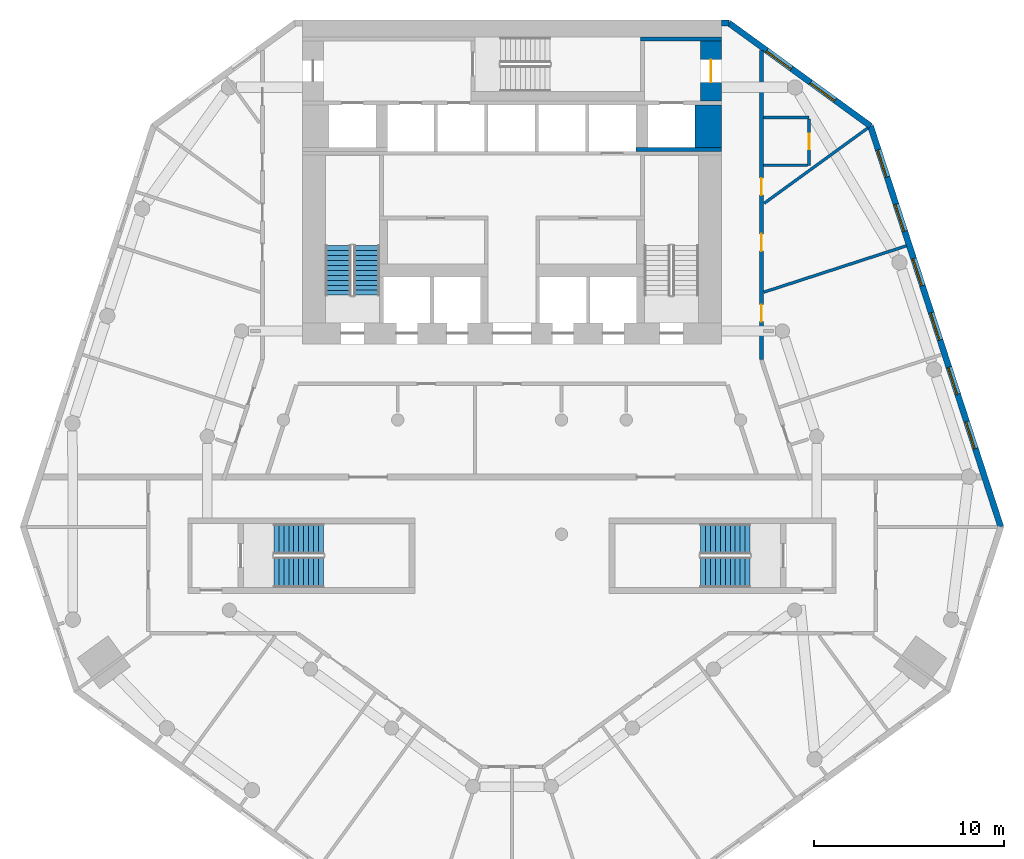
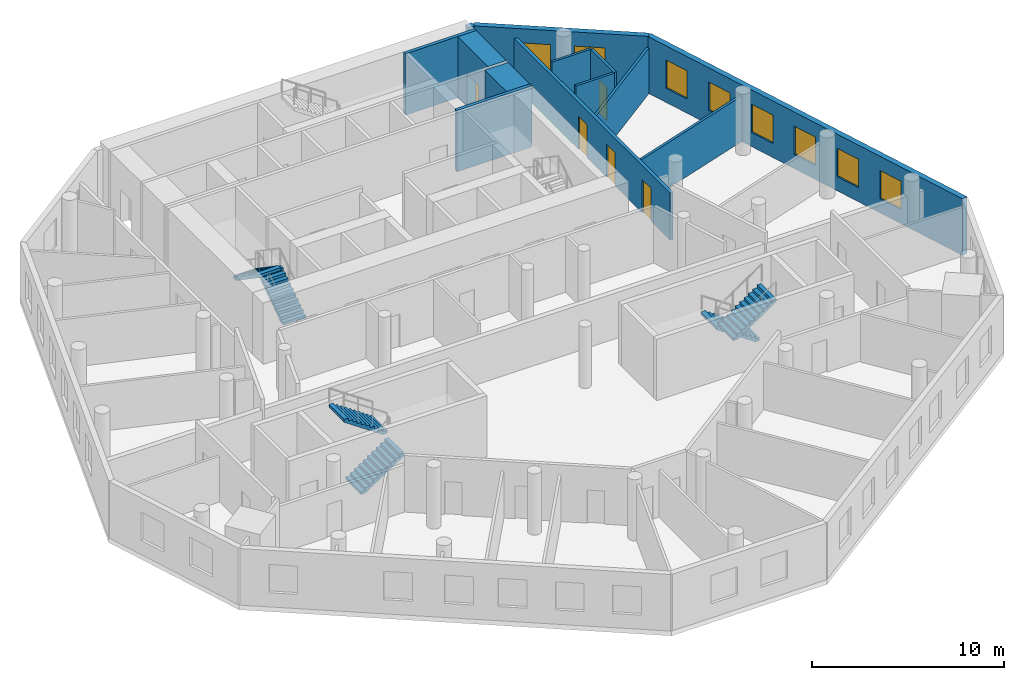
# One storey, part 6 of 9: 13 walls, 8 windows, 6 stair flights, 5 doors, 13 openings, 3 elements without a shape of their own.
"""IFC4 building model written with IfcOpenShell, lengths in metres."""

from ifc_helpers import new_model, si_unit, direction, frame, frame_2d, origin, place, context, subcontext, project, spatial, polyline, rectangle, outline, extrude, material, layer, layer_set, type_object, element, fill, aggregate, save


model = new_model("IFC4")

# Units and contexts
model_context = context("Model", 3, precision=1e-05, world=origin(), true_north=direction((0.0, 1.0)))
body_context = subcontext(model_context, "Body", "Model", "MODEL_VIEW")
ifc_project = project(units=[si_unit("LENGTHUNIT", "METRE"), si_unit("AREAUNIT", "SQUARE_METRE"), si_unit("VOLUMEUNIT", "CUBIC_METRE"), si_unit("PLANEANGLEUNIT", "RADIAN"), si_unit("MASSUNIT", "GRAM", prefix="KILO")], contexts=[model_context])

# Site, building, storey
site_placement = place(None, origin())
site = spatial("IfcSite", under=ifc_project, at=site_placement, CompositionType="ELEMENT")
building_placement = place(site_placement, origin())
building = spatial("IfcBuilding", under=site, at=building_placement, Name="White Candle Pilgrim Tower", CompositionType="ELEMENT")
storey_placement = place(building_placement, frame((0.0, 0.0, 106.39990234375)))
storey = spatial("IfcBuildingStorey", under=building, at=storey_placement, Name="L23", CompositionType="ELEMENT", Elevation=106.39990234375)

# Wall, opening, door
ifc_material_1 = material(Name="Concrete C60/75", Category="concrete")
ifc_layer_1 = layer(ifc_material_1, 1.10009765625)
ifc_layer_set_1 = layer_set([ifc_layer_1], Name="Core wall 1100 mm Concrete C60/75")
wall_type_1 = type_object("IfcWallType", Name="Core wall 1100 mm Concrete C60/75", PredefinedType="SHEAR", material=ifc_layer_set_1)
wall_1_placement = place(storey_placement, frame((80.449951171875, 83.75, 0.0), z_axis=(0.0, 0.0, 1.0), x_axis=(0.0, 1.0, 0.0)))
wall_1 = element("IfcWall", 1, at=wall_1_placement, inside=storey, type_object=wall_type_1, Name="WL-L23-C44", PredefinedType="SHEAR", context=body_context, shape_type="SweptSolid", body=[
    extrude(rectangle(XDim=3.14990234375, YDim=1.10009765625, at=frame_2d((1.574951171875, 0.0))), origin(), (0.0, 0.0, 1.0), 3.900146484375),
])
opening_1_placement = place(wall_1_placement, frame((0.97509765625, 0.0, 0.0)))
opening_1 = element("IfcOpeningElement", 2, at=opening_1_placement, cuts=wall_1, Name="Opening T07-006", PredefinedType="OPENING", context=body_context, shape_type="SweptSolid", body=[
    extrude(rectangle(XDim=1.199951171875, YDim=2.10009765625, at=frame_2d((0.60009765625, 1.050048828125))), frame((0.0, 0.56005859375, 0.0), z_axis=(0.0, -1.0, 0.0), x_axis=(1.0, 0.0, 0.0)), (0.0, 0.0, 1.0), 1.1201171875),
])
ifc_material_2 = material(Name="Steel door leaf", Category="steel")
door_type_1 = type_object("IfcDoorType", Name="Fire door 1200 x 2100 EI 30", OperationType="NOTDEFINED", PredefinedType="DOOR", material=ifc_material_2)
door_1_placement = place(opening_1_placement, origin())
door_1 = element("IfcDoor", 3, at=door_1_placement, inside=storey, type_object=door_type_1, Name="Door T07-006", OperationType="SINGLE_SWING_RIGHT", OverallHeight=2.10009765625, OverallWidth=1.199951171875, PredefinedType="DOOR", context=body_context, shape_type="SweptSolid", body=[
    extrude(rectangle(XDim=1.199951171875, YDim=2.10009765625, at=frame_2d((0.60009765625, 1.050048828125))), frame((0.0, 0.02490234375, 0.0), z_axis=(0.0, -1.0, 0.0), x_axis=(1.0, 0.0, 0.0)), (0.0, 0.0, 1.0), 0.050048828125),
])
fill(opening_1, door_1)

# Walls
ifc_layer_2 = layer(ifc_material_1, 1.39990234375)
ifc_layer_set_2 = layer_set([ifc_layer_2], Name="Core wall 1400 mm Concrete C60/75")
wall_type_2 = type_object("IfcWallType", Name="Core wall 1400 mm Concrete C60/75", PredefinedType="SHEAR", material=ifc_layer_set_2)
wall_2_placement = place(storey_placement, frame((80.300048828125, 81.300048828125, 0.0), z_axis=(0.0, 0.0, 1.0), x_axis=(0.0, 1.0, 0.0)))
element("IfcWall", 4, at=wall_2_placement, inside=storey, type_object=wall_type_2, Name="WL-L23-C40", PredefinedType="SHEAR", context=body_context, shape_type="SweptSolid", body=[
    extrude(rectangle(XDim=2.25, YDim=1.39990234375, at=frame_2d((1.125, 0.0))), origin(), (0.0, 0.0, 1.0), 3.900146484375),
])
ifc_layer_3 = layer(ifc_material_1, 0.199951171875)
ifc_layer_set_3 = layer_set([ifc_layer_3], Name="Core wall 200 mm Concrete C60/75")
wall_type_3 = type_object("IfcWallType", Name="Core wall 200 mm Concrete C60/75", PredefinedType="SHEAR", material=ifc_layer_set_3)
wall_3_placement = place(storey_placement, frame((76.5, 81.199951171875, 0.0), z_axis=(0.0, 0.0, 1.0), x_axis=(1.0, 0.0, 0.0)))
element("IfcWall", 5, at=wall_3_placement, inside=storey, type_object=wall_type_3, Name="WL-L23-C36", PredefinedType="SHEAR", context=body_context, shape_type="SweptSolid", body=[
    extrude(rectangle(XDim=4.5, YDim=0.199951171875, at=frame_2d((2.25, 0.0))), origin(), (0.0, 0.0, 1.0), 3.900146484375),
])

# Wall, openings, doors
ifc_material_3 = material(Name="Gypsum board on steel studs", Category="steel")
ifc_layer_4 = layer(ifc_material_3, 0.199951171875)
ifc_layer_set_4 = layer_set([ifc_layer_4], Name="Corridor wall 200 mm EI 45")
wall_type_4 = type_object("IfcWallType", Name="Corridor wall 200 mm EI 45", PredefinedType="PARTITIONING", material=ifc_layer_set_4)
wall_4_placement = place(storey_placement, frame((83.10009765625, 86.396240234375, 0.0), z_axis=(0.0, 0.0, 1.0), x_axis=(0.0, -1.0, 0.0)))
wall_4 = element("IfcWall", 6, at=wall_4_placement, inside=storey, type_object=wall_type_4, Name="WL-L23-P004", PredefinedType="PARTITIONING", context=body_context, shape_type="SweptSolid", body=[
    extrude(rectangle(XDim=16.221923828125, YDim=0.199951171875, at=frame_2d((8.11083984375, 0.0))), origin(), (0.0, 0.0, 1.0), 3.0),
])
opening_2_placement = place(wall_4_placement, frame((6.697998046875, 0.0, 0.0)))
opening_2 = element("IfcOpeningElement", 7, at=opening_2_placement, cuts=wall_4, Name="Opening T07-123", PredefinedType="OPENING", context=body_context, shape_type="SweptSolid", body=[
    extrude(rectangle(XDim=0.89990234375, YDim=2.10009765625, at=frame_2d((0.449951171875, 1.050048828125))), frame((0.0, 0.10986328125, 0.0), z_axis=(0.0, -1.0, 0.0), x_axis=(1.0, 0.0, 0.0)), (0.0, 0.0, 1.0), 0.219970703125),
])
opening_3_placement = place(wall_4_placement, frame((9.626953125, 0.0, 0.0)))
opening_3 = element("IfcOpeningElement", 8, at=opening_3_placement, cuts=wall_4, Name="Opening T07-124", PredefinedType="OPENING", context=body_context, shape_type="SweptSolid", body=[
    extrude(rectangle(XDim=0.89990234375, YDim=2.10009765625, at=frame_2d((0.449951171875, 1.050048828125))), frame((0.0, 0.10986328125, 0.0), z_axis=(0.0, -1.0, 0.0), x_axis=(1.0, 0.0, 0.0)), (0.0, 0.0, 1.0), 0.219970703125),
])
opening_4_placement = place(wall_4_placement, frame((13.338623046875, 0.0, 0.0)))
opening_4 = element("IfcOpeningElement", 9, at=opening_4_placement, cuts=wall_4, Name="Opening T07-125", PredefinedType="OPENING", context=body_context, shape_type="SweptSolid", body=[
    extrude(rectangle(XDim=0.89990234375, YDim=2.10009765625, at=frame_2d((0.449951171875, 1.050048828125))), frame((0.0, 0.10986328125, 0.0), z_axis=(0.0, -1.0, 0.0), x_axis=(1.0, 0.0, 0.0)), (0.0, 0.0, 1.0), 0.219970703125),
])
door_type_2 = type_object("IfcDoorType", Name="Fire door 900 x 2100 EI 30", OperationType="NOTDEFINED", PredefinedType="DOOR", material=ifc_material_2)
door_2_placement = place(opening_2_placement, origin())
door_2 = element("IfcDoor", 10, at=door_2_placement, inside=storey, type_object=door_type_2, Name="Door T07-123", OperationType="SINGLE_SWING_LEFT", OverallHeight=2.10009765625, OverallWidth=0.89990234375, PredefinedType="DOOR", context=body_context, shape_type="SweptSolid", body=[
    extrude(rectangle(XDim=0.89990234375, YDim=2.10009765625, at=frame_2d((0.449951171875, 1.050048828125))), frame((0.0, 0.02490234375, 0.0), z_axis=(0.0, -1.0, 0.0), x_axis=(1.0, 0.0, 0.0)), (0.0, 0.0, 1.0), 0.050048828125),
])
fill(opening_2, door_2)
door_3_placement = place(opening_3_placement, origin())
door_3 = element("IfcDoor", 11, at=door_3_placement, inside=storey, type_object=door_type_2, Name="Door T07-124", OperationType="SINGLE_SWING_RIGHT", OverallHeight=2.10009765625, OverallWidth=0.89990234375, PredefinedType="DOOR", context=body_context, shape_type="SweptSolid", body=[
    extrude(rectangle(XDim=0.89990234375, YDim=2.10009765625, at=frame_2d((0.449951171875, 1.050048828125))), frame((0.0, 0.02490234375, 0.0), z_axis=(0.0, -1.0, 0.0), x_axis=(1.0, 0.0, 0.0)), (0.0, 0.0, 1.0), 0.050048828125),
])
fill(opening_3, door_3)
door_4_placement = place(opening_4_placement, origin())
door_4 = element("IfcDoor", 12, at=door_4_placement, inside=storey, type_object=door_type_2, Name="Door T07-125", OperationType="SINGLE_SWING_LEFT", OverallHeight=2.10009765625, OverallWidth=0.89990234375, PredefinedType="DOOR", context=body_context, shape_type="SweptSolid", body=[
    extrude(rectangle(XDim=0.89990234375, YDim=2.10009765625, at=frame_2d((0.449951171875, 1.050048828125))), frame((0.0, 0.02490234375, 0.0), z_axis=(0.0, -1.0, 0.0), x_axis=(1.0, 0.0, 0.0)), (0.0, 0.0, 1.0), 0.050048828125),
])
fill(opening_4, door_4)

# Wall, openings, windows
ifc_material_4 = material(Name="Precast concrete C40/50", Category="concrete")
ifc_layer_5 = layer(ifc_material_4, 0.320068359375)
ifc_layer_set_5 = layer_set([ifc_layer_5], Name="Facade wall EW1 precast concrete C40/50 pier wall with timber-lined reveals")
wall_type_5 = type_object("IfcWallType", Name="Facade wall EW1 precast concrete C40/50 pier wall with timber-lined reveals", PredefinedType="SOLIDWALL", material=ifc_layer_set_5)
wall_5_placement = place(storey_placement, frame((95.66552734375, 61.38671875, 0.0), z_axis=(0.0, 0.0, 1.0), x_axis=(-0.30901996398, 0.951055551407, 0.0)))
wall_5 = element("IfcWall", 13, at=wall_5_placement, inside=storey, type_object=wall_type_5, Name="Facade wall L23 ENE", PredefinedType="SOLIDWALL", context=body_context, shape_type="SweptSolid", body=[
    extrude(rectangle(XDim=22.129150390625, YDim=0.320068359375, at=frame_2d((11.064453125, 0.0))), origin(), (0.0, 0.0, 1.0), 3.60009765625),
])
opening_5_placement = place(wall_5_placement, frame((4.314697265625, 0.0, 0.89990234375)))
opening_5 = element("IfcOpeningElement", 14, at=opening_5_placement, cuts=wall_5, Name="Opening W1", PredefinedType="OPENING", context=body_context, shape_type="SweptSolid", body=[
    extrude(rectangle(XDim=1.5, YDim=1.800048828125, at=frame_2d((0.75, 0.89990234375))), frame((0.0, 0.169921875, 0.0), z_axis=(0.0, -1.0, 0.0), x_axis=(1.0, 0.0, 0.0)), (0.0, 0.0, 1.0), 0.340087890625),
])
opening_6_placement = place(wall_5_placement, frame((7.314697265625, 0.0, 0.89990234375)))
opening_6 = element("IfcOpeningElement", 15, at=opening_6_placement, cuts=wall_5, Name="Opening W1", PredefinedType="OPENING", context=body_context, shape_type="SweptSolid", body=[
    extrude(rectangle(XDim=1.5, YDim=1.800048828125, at=frame_2d((0.75, 0.89990234375))), frame((0.0, 0.169921875, 0.0), z_axis=(0.0, -1.0, 0.0), x_axis=(1.0, 0.0, 0.0)), (0.0, 0.0, 1.0), 0.340087890625),
])
opening_7_placement = place(wall_5_placement, frame((10.314697265625, 0.0, 0.89990234375)))
opening_7 = element("IfcOpeningElement", 16, at=opening_7_placement, cuts=wall_5, Name="Opening W1", PredefinedType="OPENING", context=body_context, shape_type="SweptSolid", body=[
    extrude(rectangle(XDim=1.5, YDim=1.800048828125, at=frame_2d((0.75, 0.89990234375))), frame((0.0, 0.169921875, 0.0), z_axis=(0.0, -1.0, 0.0), x_axis=(1.0, 0.0, 0.0)), (0.0, 0.0, 1.0), 0.340087890625),
])
opening_8_placement = place(wall_5_placement, frame((13.314697265625, 0.0, 0.89990234375)))
opening_8 = element("IfcOpeningElement", 17, at=opening_8_placement, cuts=wall_5, Name="Opening W1", PredefinedType="OPENING", context=body_context, shape_type="SweptSolid", body=[
    extrude(rectangle(XDim=1.5, YDim=1.800048828125, at=frame_2d((0.75, 0.89990234375))), frame((0.0, 0.169921875, 0.0), z_axis=(0.0, -1.0, 0.0), x_axis=(1.0, 0.0, 0.0)), (0.0, 0.0, 1.0), 0.340087890625),
])
opening_9_placement = place(wall_5_placement, frame((16.314697265625, 0.0, 0.89990234375)))
opening_9 = element("IfcOpeningElement", 18, at=opening_9_placement, cuts=wall_5, Name="Opening W1", PredefinedType="OPENING", context=body_context, shape_type="SweptSolid", body=[
    extrude(rectangle(XDim=1.5, YDim=1.800048828125, at=frame_2d((0.75, 0.89990234375))), frame((0.0, 0.169921875, 0.0), z_axis=(0.0, -1.0, 0.0), x_axis=(1.0, 0.0, 0.0)), (0.0, 0.0, 1.0), 0.340087890625),
])
opening_10_placement = place(wall_5_placement, frame((19.314697265625, 0.0, 0.89990234375)))
opening_10 = element("IfcOpeningElement", 19, at=opening_10_placement, cuts=wall_5, Name="Opening W1", PredefinedType="OPENING", context=body_context, shape_type="SweptSolid", body=[
    extrude(rectangle(XDim=1.5, YDim=1.800048828125, at=frame_2d((0.75, 0.89990234375))), frame((0.0, 0.169921875, 0.0), z_axis=(0.0, -1.0, 0.0), x_axis=(1.0, 0.0, 0.0)), (0.0, 0.0, 1.0), 0.340087890625),
])
ifc_material_5 = material(Name="Timber frame with triple glazing", Category="wood")
window_type_1 = type_object("IfcWindowType", Name="Window W1 1500x1800 timber frame triple glazing", PartitioningType="SINGLE_PANEL", PredefinedType="WINDOW", material=ifc_material_5)
window_1_placement = place(opening_5_placement, origin())
window_1 = element("IfcWindow", 20, at=window_1_placement, inside=storey, type_object=window_type_1, Name="Window W1 L23 ENE 2", OverallHeight=1.800048828125, OverallWidth=1.5, PartitioningType="SINGLE_PANEL", PredefinedType="WINDOW", context=body_context, shape_type="SweptSolid", body=[
    extrude(rectangle(XDim=1.5, YDim=1.800048828125, at=frame_2d((0.75, 0.89990234375))), frame((0.0, 0.070068359375, 0.0), z_axis=(0.0, -1.0, 0.0), x_axis=(1.0, 0.0, 0.0)), (0.0, 0.0, 1.0), 0.06005859375),
])
fill(opening_5, window_1)
window_2_placement = place(opening_6_placement, origin())
window_2 = element("IfcWindow", 21, at=window_2_placement, inside=storey, type_object=window_type_1, Name="Window W1 L23 ENE 3", OverallHeight=1.800048828125, OverallWidth=1.5, PartitioningType="SINGLE_PANEL", PredefinedType="WINDOW", context=body_context, shape_type="SweptSolid", body=[
    extrude(rectangle(XDim=1.5, YDim=1.800048828125, at=frame_2d((0.75, 0.89990234375))), frame((0.0, 0.070068359375, 0.0), z_axis=(0.0, -1.0, 0.0), x_axis=(1.0, 0.0, 0.0)), (0.0, 0.0, 1.0), 0.06005859375),
])
fill(opening_6, window_2)
window_3_placement = place(opening_7_placement, origin())
window_3 = element("IfcWindow", 22, at=window_3_placement, inside=storey, type_object=window_type_1, Name="Window W1 L23 ENE 4", OverallHeight=1.800048828125, OverallWidth=1.5, PartitioningType="SINGLE_PANEL", PredefinedType="WINDOW", context=body_context, shape_type="SweptSolid", body=[
    extrude(rectangle(XDim=1.5, YDim=1.800048828125, at=frame_2d((0.75, 0.89990234375))), frame((0.0, 0.070068359375, 0.0), z_axis=(0.0, -1.0, 0.0), x_axis=(1.0, 0.0, 0.0)), (0.0, 0.0, 1.0), 0.06005859375),
])
fill(opening_7, window_3)
window_4_placement = place(opening_8_placement, origin())
window_4 = element("IfcWindow", 23, at=window_4_placement, inside=storey, type_object=window_type_1, Name="Window W1 L23 ENE 5", OverallHeight=1.800048828125, OverallWidth=1.5, PartitioningType="SINGLE_PANEL", PredefinedType="WINDOW", context=body_context, shape_type="SweptSolid", body=[
    extrude(rectangle(XDim=1.5, YDim=1.800048828125, at=frame_2d((0.75, 0.89990234375))), frame((0.0, 0.070068359375, 0.0), z_axis=(0.0, -1.0, 0.0), x_axis=(1.0, 0.0, 0.0)), (0.0, 0.0, 1.0), 0.06005859375),
])
fill(opening_8, window_4)
window_5_placement = place(opening_9_placement, origin())
window_5 = element("IfcWindow", 24, at=window_5_placement, inside=storey, type_object=window_type_1, Name="Window W1 L23 ENE 6", OverallHeight=1.800048828125, OverallWidth=1.5, PartitioningType="SINGLE_PANEL", PredefinedType="WINDOW", context=body_context, shape_type="SweptSolid", body=[
    extrude(rectangle(XDim=1.5, YDim=1.800048828125, at=frame_2d((0.75, 0.89990234375))), frame((0.0, 0.070068359375, 0.0), z_axis=(0.0, -1.0, 0.0), x_axis=(1.0, 0.0, 0.0)), (0.0, 0.0, 1.0), 0.06005859375),
])
fill(opening_9, window_5)
window_6_placement = place(opening_10_placement, origin())
window_6 = element("IfcWindow", 25, at=window_6_placement, inside=storey, type_object=window_type_1, Name="Window W1 L23 ENE 7", OverallHeight=1.800048828125, OverallWidth=1.5, PartitioningType="SINGLE_PANEL", PredefinedType="WINDOW", context=body_context, shape_type="SweptSolid", body=[
    extrude(rectangle(XDim=1.5, YDim=1.800048828125, at=frame_2d((0.75, 0.89990234375))), frame((0.0, 0.070068359375, 0.0), z_axis=(0.0, -1.0, 0.0), x_axis=(1.0, 0.0, 0.0)), (0.0, 0.0, 1.0), 0.06005859375),
])
fill(opening_10, window_6)

wall_6_placement = place(storey_placement, frame((88.8271484375, 82.432861328125, 0.0), z_axis=(0.0, 0.0, 1.0), x_axis=(-0.809006846007, 0.587799220069, 0.0)))
wall_6 = element("IfcWall", 26, at=wall_6_placement, inside=storey, type_object=wall_type_5, Name="Facade wall L23 NE chamfer", PredefinedType="SOLIDWALL", context=body_context, shape_type="SweptSolid", body=[
    extrude(rectangle(XDim=9.19921875, YDim=0.320068359375, at=frame_2d((4.599609375, 0.0))), origin(), (0.0, 0.0, 1.0), 3.60009765625),
])
opening_11_placement = place(wall_6_placement, frame((2.299560546875, 0.0, 0.89990234375)))
opening_11 = element("IfcOpeningElement", 27, at=opening_11_placement, cuts=wall_6, Name="Opening W2", PredefinedType="OPENING", context=body_context, shape_type="SweptSolid", body=[
    extrude(rectangle(XDim=1.60009765625, YDim=1.800048828125, at=frame_2d((0.800048828125, 0.89990234375))), frame((0.0, 0.169921875, 0.0), z_axis=(0.0, -1.0, 0.0), x_axis=(1.0, 0.0, 0.0)), (0.0, 0.0, 1.0), 0.340087890625),
])
opening_12_placement = place(wall_6_placement, frame((5.139404296875, 0.0, 0.89990234375)))
opening_12 = element("IfcOpeningElement", 28, at=opening_12_placement, cuts=wall_6, Name="Opening W2", PredefinedType="OPENING", context=body_context, shape_type="SweptSolid", body=[
    extrude(rectangle(XDim=1.60009765625, YDim=1.800048828125, at=frame_2d((0.800048828125, 0.89990234375))), frame((0.0, 0.169921875, 0.0), z_axis=(0.0, -1.0, 0.0), x_axis=(1.0, 0.0, 0.0)), (0.0, 0.0, 1.0), 0.340087890625),
])
window_type_2 = type_object("IfcWindowType", Name="Window W2 1600x1800 timber frame triple glazing", PartitioningType="SINGLE_PANEL", PredefinedType="WINDOW", material=ifc_material_5)
window_7_placement = place(opening_11_placement, origin())
window_7 = element("IfcWindow", 29, at=window_7_placement, inside=storey, type_object=window_type_2, Name="Window W2 L23 NE chamfer 1", OverallHeight=1.800048828125, OverallWidth=1.60009765625, PartitioningType="SINGLE_PANEL", PredefinedType="WINDOW", context=body_context, shape_type="SweptSolid", body=[
    extrude(rectangle(XDim=1.60009765625, YDim=1.800048828125, at=frame_2d((0.800048828125, 0.89990234375))), frame((0.0, 0.070068359375, 0.0), z_axis=(0.0, -1.0, 0.0), x_axis=(1.0, 0.0, 0.0)), (0.0, 0.0, 1.0), 0.06005859375),
])
fill(opening_11, window_7)
window_8_placement = place(opening_12_placement, origin())
window_8 = element("IfcWindow", 30, at=window_8_placement, inside=storey, type_object=window_type_2, Name="Window W2 L23 NE chamfer 2", OverallHeight=1.800048828125, OverallWidth=1.60009765625, PartitioningType="SINGLE_PANEL", PredefinedType="WINDOW", context=body_context, shape_type="SweptSolid", body=[
    extrude(rectangle(XDim=1.60009765625, YDim=1.800048828125, at=frame_2d((0.800048828125, 0.89990234375))), frame((0.0, 0.070068359375, 0.0), z_axis=(0.0, -1.0, 0.0), x_axis=(1.0, 0.0, 0.0)), (0.0, 0.0, 1.0), 0.06005859375),
])
fill(opening_12, window_8)

# Walls
wall_7_placement = place(storey_placement, frame((81.385009765625, 87.840087890625, 0.0), z_axis=(0.0, 0.0, 1.0), x_axis=(-1.0, 0.0, 0.0)))
element("IfcWall", 31, at=wall_7_placement, inside=storey, type_object=wall_type_5, Name="Facade wall L23 N", PredefinedType="SOLIDWALL", context=body_context, shape_type="SweptSolid", body=[
    extrude(rectangle(XDim=0.385009765625, YDim=0.320068359375, at=frame_2d((0.1923828125, 0.0))), origin(), (0.0, 0.0, 1.0), 3.60009765625),
])
ifc_layer_6 = layer(ifc_material_3, 0.14990234375)
ifc_layer_set_6 = layer_set([ifc_layer_6], Name="Partition 150 mm EI 60")
wall_type_6 = type_object("IfcWallType", Name="Partition 150 mm EI 60", PredefinedType="PARTITIONING", material=ifc_layer_set_6)
wall_8_placement = place(storey_placement, frame((88.691162109375, 82.333984375, 0.0), z_axis=(0.0, 0.0, 1.0), x_axis=(-0.809015103539, -0.587787854796, 0.0)))
element("IfcWall", 32, at=wall_8_placement, inside=storey, type_object=wall_type_6, Name="WL-L23-P023", PredefinedType="PARTITIONING", context=body_context, shape_type="SweptSolid", body=[
    extrude(rectangle(XDim=6.73291015625, YDim=0.14990234375, at=frame_2d((3.366455078125, 0.0))), origin(), (0.0, 0.0, 1.0), 2.900146484375),
])
wall_9_placement = place(storey_placement, frame((90.70361328125, 76.14013671875, 0.0), z_axis=(0.0, 0.0, 1.0), x_axis=(-0.951061437635, -0.309001847639, 0.0)))
element("IfcWall", 33, at=wall_9_placement, inside=storey, type_object=wall_type_6, Name="WL-L23-P036", PredefinedType="PARTITIONING", context=body_context, shape_type="SweptSolid", body=[
    extrude(rectangle(XDim=7.865478515625, YDim=0.14990234375, at=frame_2d((3.9326171875, 0.0))), origin(), (0.0, 0.0, 1.0), 2.900146484375),
])
wall_10_placement = place(storey_placement, frame((83.199951171875, 82.871826171875, 0.0), z_axis=(0.0, 0.0, 1.0), x_axis=(1.0, 0.0, 0.0)))
element("IfcWall", 34, at=wall_10_placement, inside=storey, type_object=wall_type_6, Name="WL-L23-P037", PredefinedType="PARTITIONING", context=body_context, shape_type="SweptSolid", body=[
    extrude(rectangle(XDim=2.400146484375, YDim=0.14990234375, at=frame_2d((1.2001953125, 0.0))), origin(), (0.0, 0.0, 1.0), 3.60009765625),
])

# Wall, opening, door
wall_11_placement = place(storey_placement, frame((85.60009765625, 80.371826171875, 0.0), z_axis=(0.0, 0.0, 1.0), x_axis=(0.0, 1.0, 0.0)))
wall_11 = element("IfcWall", 35, at=wall_11_placement, inside=storey, type_object=wall_type_6, Name="WL-L23-P038", PredefinedType="PARTITIONING", context=body_context, shape_type="SweptSolid", body=[
    extrude(rectangle(XDim=2.425048828125, YDim=0.14990234375, at=frame_2d((1.21240234375, 0.0))), origin(), (0.0, 0.0, 1.0), 3.60009765625),
])
opening_13_placement = place(wall_11_placement, frame((0.85009765625, 0.0, 0.0)))
opening_13 = element("IfcOpeningElement", 36, at=opening_13_placement, cuts=wall_11, Name="Opening T07-113", PredefinedType="OPENING", context=body_context, shape_type="SweptSolid", body=[
    extrude(rectangle(XDim=0.800048828125, YDim=2.10009765625, at=frame_2d((0.39990234375, 1.050048828125))), frame((0.0, 0.0849609375, 0.0), z_axis=(0.0, -1.0, 0.0), x_axis=(1.0, 0.0, 0.0)), (0.0, 0.0, 1.0), 0.169921875),
])
door_type_3 = type_object("IfcDoorType", Name="Fire door 800 x 2100 EI 30", OperationType="NOTDEFINED", PredefinedType="DOOR", material=ifc_material_2)
door_5_placement = place(opening_13_placement, frame((0.800048828125, 0.0, 0.0), z_axis=(0.0, 0.0, 1.0), x_axis=(-1.0, 0.0, 0.0)))
door_5 = element("IfcDoor", 37, at=door_5_placement, inside=storey, type_object=door_type_3, Name="Door T07-113", OperationType="SINGLE_SWING_RIGHT", OverallHeight=2.10009765625, OverallWidth=0.800048828125, PredefinedType="DOOR", context=body_context, shape_type="SweptSolid", body=[
    extrude(rectangle(XDim=0.800048828125, YDim=2.10009765625, at=frame_2d((0.39990234375, 1.050048828125))), frame((0.0, 0.02490234375, 0.0), z_axis=(0.0, -1.0, 0.0), x_axis=(1.0, 0.0, 0.0)), (0.0, 0.0, 1.0), 0.050048828125),
])
fill(opening_13, door_5)

# Walls
wall_12_placement = place(storey_placement, frame((83.199951171875, 80.371826171875, 0.0), z_axis=(0.0, 0.0, 1.0), x_axis=(1.0, 0.0, 0.0)))
element("IfcWall", 38, at=wall_12_placement, inside=storey, type_object=wall_type_6, Name="WL-L23-P039", PredefinedType="PARTITIONING", context=body_context, shape_type="SweptSolid", body=[
    extrude(rectangle(XDim=2.324951171875, YDim=0.14990234375, at=frame_2d((1.16259765625, 0.0))), origin(), (0.0, 0.0, 1.0), 3.60009765625),
])
ifc_layer_7 = layer(ifc_material_1, 0.199951171875)
ifc_layer_set_7 = layer_set([ifc_layer_7], Name="Stair shaft wall 200 mm Concrete C60/75")
wall_type_7 = type_object("IfcWallType", Name="Stair shaft wall 200 mm Concrete C60/75", PredefinedType="SHEAR", material=ifc_layer_set_7)
wall_13_placement = place(storey_placement, frame((76.75, 87.0, 0.0), z_axis=(0.0, 0.0, 1.0), x_axis=(1.0, 0.0, 0.0)))
element("IfcWall", 39, at=wall_13_placement, inside=storey, type_object=wall_type_7, Name="WL-L23-C48", PredefinedType="SHEAR", context=body_context, shape_type="SweptSolid", body=[
    extrude(rectangle(XDim=4.25, YDim=0.199951171875, at=frame_2d((2.125, 0.0))), origin(), (0.0, 0.0, 1.0), 3.900146484375),
])

# Stair, stair flights
ifc_material_6 = material(Name="Concrete C40/50", Category="concrete")
stair_type_1 = type_object("IfcStairType", Name="Exit stair 1 flight width 1350 mm", PredefinedType="HALF_TURN_STAIR", material=ifc_material_6)
stair_1_placement = place(storey_placement, origin())
stair_1 = element("IfcStair", 40, at=stair_1_placement, inside=storey, type_object=stair_type_1, Name="L23 stair 1", PredefinedType="NOTDEFINED")
ifc_layer_8 = layer(ifc_material_6, 0.14990234375)
ifc_layer_set_8 = layer_set([ifc_layer_8], Name="Stair flight Concrete C40/50")
stair_flight_type = type_object("IfcStairFlightType", Name="Stair flight Concrete C40/50", PredefinedType="STRAIGHT", material=ifc_layer_set_8)
stair_flight_1_placement = place(storey_placement, frame((62.375, 73.550048828125, 0.0), z_axis=(0.0, 0.0, 1.0), x_axis=(0.0, 1.0, 0.0)))
stair_flight_1 = element("IfcStairFlight", 41, at=stair_flight_1_placement, type_object=stair_flight_type, Name="ST1 flight 1", NumberOfRisers=11, NumberOfTreads=10, PredefinedType="NOTDEFINED", RiserHeight=0.177272727, TreadLength=0.26, context=body_context, shape_type="SweptSolid", body=[
    extrude(outline(polyline([(0.0, 0.0), (0.0, 0.17724609375), (0.260009765625, 0.17724609375), (0.260009765625, 0.3544921875), (0.52001953125, 0.3544921875), (0.52001953125, 0.53173828125), (0.780029296875, 0.53173828125), (0.780029296875, 0.708984375), (1.0400390625, 0.708984375), (1.0400390625, 0.886474609375), (1.300048828125, 0.886474609375), (1.300048828125, 1.063720703125), (1.56005859375, 1.063720703125), (1.56005859375, 1.240966796875), (1.820068359375, 1.240966796875), (1.820068359375, 1.418212890625), (2.080078125, 1.418212890625), (2.080078125, 1.595458984375), (2.340087890625, 1.595458984375), (2.340087890625, 1.772705078125), (2.60009765625, 1.772705078125), (2.60009765625, 1.949951171875), (2.60009765625, 1.59130859375), (0.26611328125, 0.0), (0.0, 0.0)])), frame((0.0, 0.675048828125, 0.0), z_axis=(0.0, -1.0, 0.0), x_axis=(1.0, 0.0, 0.0)), (0.0, 0.0, 1.0), 1.35009765625),
])
stair_flight_2_placement = place(storey_placement, frame((60.875, 76.14990234375, 1.9501953125), z_axis=(0.0, 0.0, 1.0), x_axis=(0.0, -1.0, 0.0)))
stair_flight_2 = element("IfcStairFlight", 42, at=stair_flight_2_placement, type_object=stair_flight_type, Name="ST1 flight 2", NumberOfRisers=11, NumberOfTreads=10, PredefinedType="NOTDEFINED", RiserHeight=0.177272727, TreadLength=0.26, context=body_context, shape_type="SweptSolid", body=[
    extrude(outline(polyline([(0.0, 0.0), (0.0, 0.17724609375), (0.260009765625, 0.17724609375), (0.260009765625, 0.3544921875), (0.52001953125, 0.3544921875), (0.52001953125, 0.53173828125), (0.780029296875, 0.53173828125), (0.780029296875, 0.708984375), (1.0400390625, 0.708984375), (1.0400390625, 0.886474609375), (1.300048828125, 0.886474609375), (1.300048828125, 1.063720703125), (1.56005859375, 1.063720703125), (1.56005859375, 1.240966796875), (1.820068359375, 1.240966796875), (1.820068359375, 1.418212890625), (2.080078125, 1.418212890625), (2.080078125, 1.595458984375), (2.340087890625, 1.595458984375), (2.340087890625, 1.772705078125), (2.60009765625, 1.772705078125), (2.60009765625, 1.949951171875), (2.60009765625, 1.59130859375), (0.26611328125, 0.0), (0.0, 0.0)])), frame((0.0, 0.675048828125, 0.0), z_axis=(0.0, -1.0, 0.0), x_axis=(1.0, 0.0, 0.0)), (0.0, 0.0, 1.0), 1.35009765625),
])
aggregate(stair_1, [stair_flight_1, stair_flight_2])

stair_type_2 = type_object("IfcStairType", Name="Exit stair 4 flight width 1600 mm", PredefinedType="HALF_TURN_STAIR", material=ifc_material_6)
stair_2_placement = place(storey_placement, origin())
stair_2 = element("IfcStair", 43, at=stair_2_placement, inside=storey, type_object=stair_type_2, Name="L23 stair 4", PredefinedType="NOTDEFINED")
stair_flight_3_placement = place(storey_placement, frame((82.5, 60.75, 0.0), z_axis=(0.0, 0.0, 1.0), x_axis=(-1.0, 0.0, 0.0)))
stair_flight_3 = element("IfcStairFlight", 44, at=stair_flight_3_placement, type_object=stair_flight_type, Name="ST4 flight 1", NumberOfRisers=11, NumberOfTreads=10, PredefinedType="NOTDEFINED", RiserHeight=0.177272727, TreadLength=0.26, context=body_context, shape_type="SweptSolid", body=[
    extrude(outline(polyline([(0.0, 0.0), (0.0, 0.17724609375), (0.260009765625, 0.17724609375), (0.260009765625, 0.3544921875), (0.52001953125, 0.3544921875), (0.52001953125, 0.53173828125), (0.780029296875, 0.53173828125), (0.780029296875, 0.708984375), (1.0400390625, 0.708984375), (1.0400390625, 0.886474609375), (1.300048828125, 0.886474609375), (1.300048828125, 1.063720703125), (1.56005859375, 1.063720703125), (1.56005859375, 1.240966796875), (1.820068359375, 1.240966796875), (1.820068359375, 1.418212890625), (2.080078125, 1.418212890625), (2.080078125, 1.595458984375), (2.340087890625, 1.595458984375), (2.340087890625, 1.772705078125), (2.60009765625, 1.772705078125), (2.60009765625, 1.949951171875), (2.60009765625, 1.59130859375), (0.26611328125, 0.0), (0.0, 0.0)])), frame((0.0, 0.800048828125, 0.0), z_axis=(0.0, -1.0, 0.0), x_axis=(1.0, 0.0, 0.0)), (0.0, 0.0, 1.0), 1.60009765625),
])
stair_flight_4_placement = place(storey_placement, frame((79.89990234375, 59.0, 1.9501953125), z_axis=(0.0, 0.0, 1.0), x_axis=(1.0, 0.0, 0.0)))
stair_flight_4 = element("IfcStairFlight", 45, at=stair_flight_4_placement, type_object=stair_flight_type, Name="ST4 flight 2", NumberOfRisers=11, NumberOfTreads=10, PredefinedType="NOTDEFINED", RiserHeight=0.177272727, TreadLength=0.26, context=body_context, shape_type="SweptSolid", body=[
    extrude(outline(polyline([(0.0, 0.0), (0.0, 0.17724609375), (0.260009765625, 0.17724609375), (0.260009765625, 0.3544921875), (0.52001953125, 0.3544921875), (0.52001953125, 0.53173828125), (0.780029296875, 0.53173828125), (0.780029296875, 0.708984375), (1.0400390625, 0.708984375), (1.0400390625, 0.886474609375), (1.300048828125, 0.886474609375), (1.300048828125, 1.063720703125), (1.56005859375, 1.063720703125), (1.56005859375, 1.240966796875), (1.820068359375, 1.240966796875), (1.820068359375, 1.418212890625), (2.080078125, 1.418212890625), (2.080078125, 1.595458984375), (2.340087890625, 1.595458984375), (2.340087890625, 1.772705078125), (2.60009765625, 1.772705078125), (2.60009765625, 1.949951171875), (2.60009765625, 1.59130859375), (0.26611328125, 0.0), (0.0, 0.0)])), frame((0.0, 0.800048828125, 0.0), z_axis=(0.0, -1.0, 0.0), x_axis=(1.0, 0.0, 0.0)), (0.0, 0.0, 1.0), 1.60009765625),
])
aggregate(stair_2, [stair_flight_3, stair_flight_4])

stair_type_3 = type_object("IfcStairType", Name="Exit stair 5 flight width 1600 mm", PredefinedType="HALF_TURN_STAIR", material=ifc_material_6)
stair_3_placement = place(storey_placement, origin())
stair_3 = element("IfcStair", 46, at=stair_3_placement, inside=storey, type_object=stair_type_3, Name="L23 stair 5", PredefinedType="NOTDEFINED")
stair_flight_5_placement = place(storey_placement, frame((57.5, 59.0, 0.0), z_axis=(0.0, 0.0, 1.0), x_axis=(1.0, 0.0, 0.0)))
stair_flight_5 = element("IfcStairFlight", 47, at=stair_flight_5_placement, type_object=stair_flight_type, Name="ST5 flight 1", NumberOfRisers=11, NumberOfTreads=10, PredefinedType="NOTDEFINED", RiserHeight=0.177272727, TreadLength=0.26, context=body_context, shape_type="SweptSolid", body=[
    extrude(outline(polyline([(0.0, 0.0), (0.0, 0.17724609375), (0.260009765625, 0.17724609375), (0.260009765625, 0.3544921875), (0.52001953125, 0.3544921875), (0.52001953125, 0.53173828125), (0.780029296875, 0.53173828125), (0.780029296875, 0.708984375), (1.0400390625, 0.708984375), (1.0400390625, 0.886474609375), (1.300048828125, 0.886474609375), (1.300048828125, 1.063720703125), (1.56005859375, 1.063720703125), (1.56005859375, 1.240966796875), (1.820068359375, 1.240966796875), (1.820068359375, 1.418212890625), (2.080078125, 1.418212890625), (2.080078125, 1.595458984375), (2.340087890625, 1.595458984375), (2.340087890625, 1.772705078125), (2.60009765625, 1.772705078125), (2.60009765625, 1.949951171875), (2.60009765625, 1.59130859375), (0.26611328125, 0.0), (0.0, 0.0)])), frame((0.0, 0.800048828125, 0.0), z_axis=(0.0, -1.0, 0.0), x_axis=(1.0, 0.0, 0.0)), (0.0, 0.0, 1.0), 1.60009765625),
])
stair_flight_6_placement = place(storey_placement, frame((60.10009765625, 60.75, 1.9501953125), z_axis=(0.0, 0.0, 1.0), x_axis=(-1.0, 0.0, 0.0)))
stair_flight_6 = element("IfcStairFlight", 48, at=stair_flight_6_placement, type_object=stair_flight_type, Name="ST5 flight 2", NumberOfRisers=11, NumberOfTreads=10, PredefinedType="NOTDEFINED", RiserHeight=0.177272727, TreadLength=0.26, context=body_context, shape_type="SweptSolid", body=[
    extrude(outline(polyline([(0.0, 0.0), (0.0, 0.17724609375), (0.260009765625, 0.17724609375), (0.260009765625, 0.3544921875), (0.52001953125, 0.3544921875), (0.52001953125, 0.53173828125), (0.780029296875, 0.53173828125), (0.780029296875, 0.708984375), (1.0400390625, 0.708984375), (1.0400390625, 0.886474609375), (1.300048828125, 0.886474609375), (1.300048828125, 1.063720703125), (1.56005859375, 1.063720703125), (1.56005859375, 1.240966796875), (1.820068359375, 1.240966796875), (1.820068359375, 1.418212890625), (2.080078125, 1.418212890625), (2.080078125, 1.595458984375), (2.340087890625, 1.595458984375), (2.340087890625, 1.772705078125), (2.60009765625, 1.772705078125), (2.60009765625, 1.949951171875), (2.60009765625, 1.59130859375), (0.26611328125, 0.0), (0.0, 0.0)])), frame((0.0, 0.800048828125, 0.0), z_axis=(0.0, -1.0, 0.0), x_axis=(1.0, 0.0, 0.0)), (0.0, 0.0, 1.0), 1.60009765625),
])
aggregate(stair_3, [stair_flight_5, stair_flight_6])

save(model, "model.ifc")
